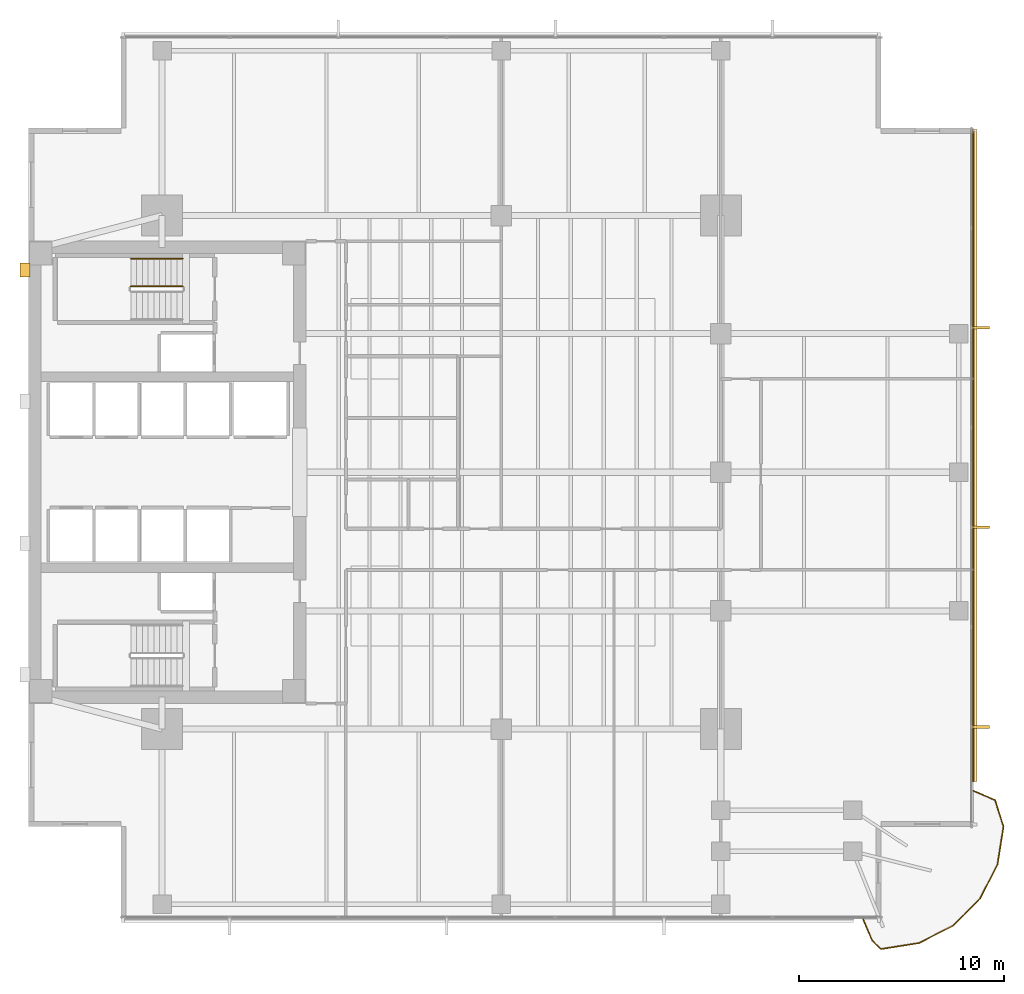
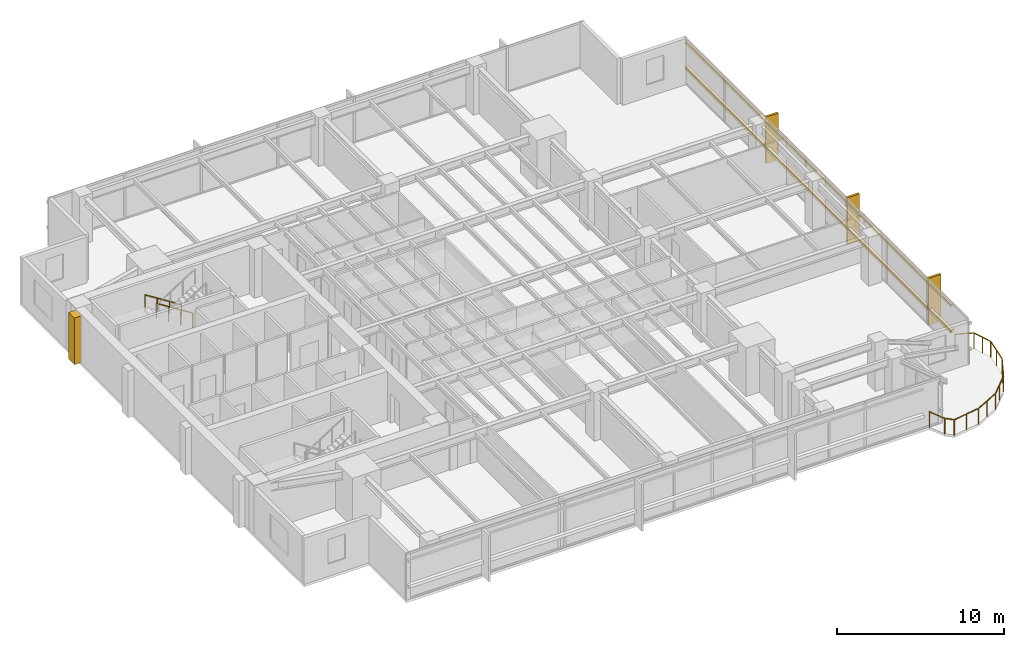
# One storey, part 14 of 15: 11 railings, 6 coverings, 2 shading devices.
"""IFC4 building model written with IfcOpenShell, lengths in metres."""

from ifc_helpers import new_model, si_unit, direction, frame, origin, origin_2d, place, context, subcontext, project, spatial, polyline, rectangle, circle, outline, extrude, material, layer, layer_set, material_profile, profile_set, type_object, element, save


model = new_model("IFC4")

# Units and contexts
model_context = context("Model", 3, precision=1e-05, world=origin(), true_north=direction((0.0, 1.0)))
body_context = subcontext(model_context, "Body", "Model", "MODEL_VIEW")
ifc_project = project(units=[si_unit("LENGTHUNIT", "METRE"), si_unit("AREAUNIT", "SQUARE_METRE"), si_unit("VOLUMEUNIT", "CUBIC_METRE"), si_unit("PLANEANGLEUNIT", "RADIAN"), si_unit("MASSUNIT", "GRAM", prefix="KILO")], contexts=[model_context])

# Site, building, storey
site_placement = place(None, origin())
site = spatial("IfcSite", under=ifc_project, at=site_placement, CompositionType="ELEMENT")
building_placement = place(site_placement, origin())
building = spatial("IfcBuilding", under=site, at=building_placement, Name="Kinhvarn Gate Tower", CompositionType="ELEMENT")
storey_placement = place(building_placement, frame((0.0, 0.0, 105.800048828125)))
storey = spatial("IfcBuildingStorey", under=building, at=storey_placement, Name="L27", CompositionType="ELEMENT", Elevation=105.800048828125)

# Coverings
ifc_material_1 = material(Name="Fired architectural terracotta", Category="masonry")
ifc_layer_1 = layer(ifc_material_1, 0.239990234375)
ifc_layer_set_1 = layer_set([ifc_layer_1], Name="Fired architectural terracotta")
covering_type_1 = type_object("IfcCoveringType", Name="COV-BAG-220", PredefinedType="CLADDING", material=ifc_layer_set_1)
for number, where, name in (
    (1, (0.0, 0.0, 0.93994140625), "Terracotta Horizontal Sunscreen Band TBG-220 (L27)"),
    (2, (0.0, 0.0, 2.81005859375), "Terracotta Horizontal Sunscreen Band TBG-220 (L27)"),
):
    element("IfcCovering", number, at=place(storey_placement, frame(where)), inside=storey, type_object=covering_type_1, Name=name, PredefinedType="CLADDING", context=body_context, shape_type="SweptSolid", body=[
        extrude(outline(polyline([(50.429931640625, 10.19091796875), (50.429931640625, 41.9599609375), (50.669921875, 41.9599609375), (50.669921875, 10.19091796875), (50.429931640625, 10.19091796875)])), origin(), (0.0, 0.0, 1.0), 0.219970703125),
    ])
ifc_layer_2 = layer(ifc_material_1, 0.139892578125)
ifc_layer_set_2 = layer_set([ifc_layer_2], Name="Fired architectural terracotta")
covering_type_2 = type_object("IfcCoveringType", Name="COV-FIN-850", PredefinedType="CLADDING", material=ifc_layer_set_2)
covering_1_placement = place(storey_placement, frame((0.0, 0.0, -0.02001953125)))
element("IfcCovering", 3, at=covering_1_placement, inside=storey, type_object=covering_type_2, Name="Vertical Terracotta Expressive Fin TFN-850 (L27)", PredefinedType="CLADDING", context=body_context, shape_type="SweptSolid", body=[
    extrude(outline(polyline([(50.419921875, 12.787109375), (50.419921875, 12.927001953125), (51.27001953125, 12.927001953125), (51.27001953125, 12.787109375), (50.419921875, 12.787109375)])), origin(), (0.0, 0.0, 1.0), 3.409912109375),
])
covering_2_placement = place(storey_placement, frame((0.0, 0.0, -0.02001953125)))
element("IfcCovering", 4, at=covering_2_placement, inside=storey, type_object=covering_type_2, Name="Vertical Terracotta Expressive Fin TFN-850 (L27)", PredefinedType="CLADDING", context=body_context, shape_type="SweptSolid", body=[
    extrude(outline(polyline([(50.419921875, 22.50146484375), (50.419921875, 22.641357421875), (51.27001953125, 22.641357421875), (51.27001953125, 22.50146484375), (50.419921875, 22.50146484375)])), origin(), (0.0, 0.0, 1.0), 3.409912109375),
])
covering_3_placement = place(storey_placement, frame((0.0, 0.0, -0.02001953125)))
element("IfcCovering", 5, at=covering_3_placement, inside=storey, type_object=covering_type_2, Name="Vertical Terracotta Expressive Fin TFN-850 (L27)", PredefinedType="CLADDING", context=body_context, shape_type="SweptSolid", body=[
    extrude(outline(polyline([(50.419921875, 32.2158203125), (50.419921875, 32.355712890625), (51.27001953125, 32.355712890625), (51.27001953125, 32.2158203125), (50.419921875, 32.2158203125)])), origin(), (0.0, 0.0, 1.0), 3.409912109375),
])
ifc_material_2 = material(Name="Precast white architectural concrete C40/50", Category="concrete")
ifc_layer_3 = layer(ifc_material_2, 0.47998046875)
ifc_layer_set_3 = layer_set([ifc_layer_3], Name="Precast white architectural concrete C40/50")
covering_type_3 = type_object("IfcCoveringType", Name="COV-RIB-450", PredefinedType="CLADDING", material=ifc_layer_set_3)
covering_4_placement = place(storey_placement, frame((0.0, 0.0, -0.02001953125)))
element("IfcCovering", 6, at=covering_4_placement, inside=storey, type_object=covering_type_3, Name="West Core Sculptural Concrete Relief Rib CRB-450 (L27)", PredefinedType="CLADDING", context=body_context, shape_type="SweptSolid", body=[
    extrude(outline(polyline([(4.080078125, 34.75), (4.56005859375, 34.75), (4.56005859375, 35.449951171875), (4.080078125, 35.449951171875), (4.080078125, 34.75)])), origin(), (0.0, 0.0, 1.0), 3.409912109375),
])

# Railings
ifc_material_3 = material(Name="Clear low-e double glazing", Category="glass")
railing_type_1 = type_object("IfcRailingType", Name="RL-BAL-1150", PredefinedType="BALUSTRADE", material=ifc_material_3)
railing_1_placement = place(storey_placement, frame((45.1201171875, 3.5, 0.0)))
element("IfcRailing", 7, at=railing_1_placement, inside=storey, type_object=railing_type_1, Name="S-Carve Balcony Guardrail Seg 1 (L27)", PredefinedType="BALUSTRADE", context=body_context, shape_type="SweptSolid", body=[
    extrude(circle(Radius=0.02392578125, at=origin_2d()), frame((0.0, 0.0, 1.1259765625), z_axis=(0.392787238873, -0.919629373704, 0.0), x_axis=(0.919629373704, 0.392787238873, 0.0)), (0.0, 0.0, 1.0), 1.1455078125),
    extrude(circle(Radius=0.02099609375, at=origin_2d()), origin(), (0.0, 0.0, 1.0), 1.101806640625),
    extrude(circle(Radius=0.02099609375, at=origin_2d()), frame((0.449951171875, -1.053466796875, 0.0)), (0.0, 0.0, 1.0), 1.101806640625),
])
railing_2_placement = place(storey_placement, frame((45.570068359375, 2.446533203125, 0.0)))
element("IfcRailing", 8, at=railing_2_placement, inside=storey, type_object=railing_type_1, Name="S-Carve Balcony Guardrail Seg 2 (L27)", PredefinedType="BALUSTRADE", context=body_context, shape_type="SweptSolid", body=[
    extrude(circle(Radius=0.02392578125, at=origin_2d()), frame((0.0, 0.0, 1.1259765625), z_axis=(0.724167268669, -0.689624366586, 0.0), x_axis=(0.689624366586, 0.724167268669, 0.0)), (0.0, 0.0, 1.0), 0.59375),
    extrude(circle(Radius=0.02099609375, at=origin_2d()), origin(), (0.0, 0.0, 1.0), 1.101806640625),
    extrude(circle(Radius=0.02099609375, at=origin_2d()), frame((0.429931640625, -0.409423828125, 0.0)), (0.0, 0.0, 1.0), 1.101806640625),
])
railing_3_placement = place(storey_placement, frame((46.0, 2.037109375, 0.0)))
element("IfcRailing", 9, at=railing_3_placement, inside=storey, type_object=railing_type_1, Name="S-Carve Balcony Guardrail Seg 3 (L27)", PredefinedType="BALUSTRADE", context=body_context, shape_type="SweptSolid", body=[
    extrude(circle(Radius=0.02392578125, at=origin_2d()), frame((0.0, 0.0, 1.1259765625), z_axis=(0.987698159802, 0.156372456408, 0.0), x_axis=(-0.156372456408, 0.987698159802, 0.0)), (0.0, 0.0, 1.0), 1.86572265625),
    extrude(circle(Radius=0.02099609375, at=origin_2d()), origin(), (0.0, 0.0, 1.0), 1.101806640625),
    extrude(circle(Radius=0.02099609375, at=origin_2d()), frame((0.92138671875, 0.14599609375, 0.0)), (0.0, 0.0, 1.0), 1.101806640625),
    extrude(circle(Radius=0.02099609375, at=origin_2d()), frame((1.8427734375, 0.291748046875, 0.0)), (0.0, 0.0, 1.0), 1.101806640625),
])
railing_4_placement = place(storey_placement, frame((47.8427734375, 2.328857421875, 0.0)))
element("IfcRailing", 10, at=railing_4_placement, inside=storey, type_object=railing_type_1, Name="S-Carve Balcony Guardrail Seg 4 (L27)", PredefinedType="BALUSTRADE", context=body_context, shape_type="SweptSolid", body=[
    extrude(circle(Radius=0.02392578125, at=origin_2d()), frame((0.0, 0.0, 1.1259765625), z_axis=(0.890998543862, 0.454006161671, 0.0), x_axis=(-0.454006161671, 0.890998543862, 0.0)), (0.0, 0.0, 1.0), 1.865478515625),
    extrude(circle(Radius=0.02099609375, at=origin_2d()), origin(), (0.0, 0.0, 1.0), 1.101806640625),
    extrude(circle(Radius=0.02099609375, at=origin_2d()), frame((0.8310546875, 0.42333984375, 0.0)), (0.0, 0.0, 1.0), 1.101806640625),
    extrude(circle(Radius=0.02099609375, at=origin_2d()), frame((1.662109375, 0.846923828125, 0.0)), (0.0, 0.0, 1.0), 1.101806640625),
])
railing_5_placement = place(storey_placement, frame((49.5048828125, 3.17578125, 0.0)))
element("IfcRailing", 11, at=railing_5_placement, inside=storey, type_object=railing_type_1, Name="S-Carve Balcony Guardrail Seg 5 (L27)", PredefinedType="BALUSTRADE", context=body_context, shape_type="SweptSolid", body=[
    extrude(circle(Radius=0.02392578125, at=origin_2d()), frame((0.0, 0.0, 1.1259765625), z_axis=(0.707106781187, 0.707106781187, 0.0), x_axis=(-0.707106781187, 0.707106781187, 0.0)), (0.0, 0.0, 1.0), 1.86572265625),
    extrude(circle(Radius=0.02099609375, at=origin_2d()), origin(), (0.0, 0.0, 1.0), 1.101806640625),
    extrude(circle(Radius=0.02099609375, at=origin_2d()), frame((0.65966796875, 0.65966796875, 0.0)), (0.0, 0.0, 1.0), 1.101806640625),
    extrude(circle(Radius=0.02099609375, at=origin_2d()), frame((1.3193359375, 1.3193359375, 0.0)), (0.0, 0.0, 1.0), 1.101806640625),
])
railing_6_placement = place(storey_placement, frame((50.82421875, 4.4951171875, 0.0)))
element("IfcRailing", 12, at=railing_6_placement, inside=storey, type_object=railing_type_1, Name="S-Carve Balcony Guardrail Seg 6 (L27)", PredefinedType="BALUSTRADE", context=body_context, shape_type="SweptSolid", body=[
    extrude(circle(Radius=0.02392578125, at=origin_2d()), frame((0.0, 0.0, 1.1259765625), z_axis=(0.454006161671, 0.890998543862, 0.0), x_axis=(-0.890998543862, 0.454006161671, 0.0)), (0.0, 0.0, 1.0), 1.865478515625),
    extrude(circle(Radius=0.02099609375, at=origin_2d()), origin(), (0.0, 0.0, 1.0), 1.101806640625),
    extrude(circle(Radius=0.02099609375, at=origin_2d()), frame((0.42333984375, 0.8310546875, 0.0)), (0.0, 0.0, 1.0), 1.101806640625),
    extrude(circle(Radius=0.02099609375, at=origin_2d()), frame((0.846923828125, 1.662109375, 0.0)), (0.0, 0.0, 1.0), 1.101806640625),
])
railing_7_placement = place(storey_placement, frame((51.671142578125, 6.1572265625, 0.0)))
element("IfcRailing", 13, at=railing_7_placement, inside=storey, type_object=railing_type_1, Name="S-Carve Balcony Guardrail Seg 7 (L27)", PredefinedType="BALUSTRADE", context=body_context, shape_type="SweptSolid", body=[
    extrude(circle(Radius=0.02392578125, at=origin_2d()), frame((0.0, 0.0, 1.1259765625), z_axis=(0.156372456408, 0.987698159802, 0.0), x_axis=(-0.987698159802, 0.156372456408, 0.0)), (0.0, 0.0, 1.0), 1.86572265625),
    extrude(circle(Radius=0.02099609375, at=origin_2d()), origin(), (0.0, 0.0, 1.0), 1.101806640625),
    extrude(circle(Radius=0.02099609375, at=origin_2d()), frame((0.14599609375, 0.92138671875, 0.0)), (0.0, 0.0, 1.0), 1.101806640625),
    extrude(circle(Radius=0.02099609375, at=origin_2d()), frame((0.291748046875, 1.8427734375, 0.0)), (0.0, 0.0, 1.0), 1.101806640625),
])
railing_8_placement = place(storey_placement, frame((51.962890625, 8.0, 0.0)))
element("IfcRailing", 14, at=railing_8_placement, inside=storey, type_object=railing_type_1, Name="S-Carve Balcony Guardrail Seg 8 (L27)", PredefinedType="BALUSTRADE", context=body_context, shape_type="SweptSolid", body=[
    extrude(circle(Radius=0.02392578125, at=origin_2d()), frame((0.0, 0.0, 1.1259765625), z_axis=(-0.302295794614, 0.953214169302, 0.0), x_axis=(-0.953214169302, -0.302295794614, 0.0)), (0.0, 0.0, 1.0), 1.3544921875),
    extrude(circle(Radius=0.02099609375, at=origin_2d()), origin(), (0.0, 0.0, 1.0), 1.101806640625),
    extrude(circle(Radius=0.02099609375, at=origin_2d()), frame((-0.20458984375, 0.6455078125, 0.0)), (0.0, 0.0, 1.0), 1.101806640625),
    extrude(circle(Radius=0.02099609375, at=origin_2d()), frame((-0.409423828125, 1.291015625, 0.0)), (0.0, 0.0, 1.0), 1.101806640625),
])
railing_9_placement = place(storey_placement, frame((51.553466796875, 9.291015625, 0.0)))
element("IfcRailing", 15, at=railing_9_placement, inside=storey, type_object=railing_type_1, Name="S-Carve Balcony Guardrail Seg 9 (L27)", PredefinedType="BALUSTRADE", context=body_context, shape_type="SweptSolid", body=[
    extrude(circle(Radius=0.02392578125, at=origin_2d()), frame((0.0, 0.0, 1.1259765625), z_axis=(-0.919629373704, 0.392787238873, 0.0), x_axis=(-0.392787238873, -0.919629373704, 0.0)), (0.0, 0.0, 1.0), 1.1455078125),
    extrude(circle(Radius=0.02099609375, at=origin_2d()), origin(), (0.0, 0.0, 1.0), 1.101806640625),
    extrude(circle(Radius=0.02099609375, at=origin_2d()), frame((-1.053466796875, 0.449951171875, 0.0)), (0.0, 0.0, 1.0), 1.101806640625),
])
ifc_material_4 = material(Name="Steel S355", Category="steel")
railing_type_2 = type_object("IfcRailingType", Name="RL-ST-GRD", PredefinedType="BALUSTRADE", material=ifc_material_4)
railing_10_placement = place(storey_placement, frame((12.0, 34.300048828125, 0.177490234375)))
element("IfcRailing", 16, at=railing_10_placement, inside=storey, type_object=railing_type_2, Name="L27 ST2 stair guard 1", PredefinedType="BALUSTRADE", context=body_context, shape_type="SweptSolid", body=[
    extrude(circle(Radius=0.02392578125, at=origin_2d()), frame((0.0, 0.0, 1.076171875), z_axis=(-0.84460694969, 0.0, 0.535386869969), x_axis=(0.0, -1.0, 0.0)), (0.0, 0.0, 1.0), 2.983642578125),
    extrude(circle(Radius=0.02099609375, at=origin_2d()), origin(), (0.0, 0.0, 1.0), 1.052001953125),
    extrude(circle(Radius=0.02099609375, at=origin_2d()), frame((-0.840087890625, 0.0, 0.532470703125)), (0.0, 0.0, 1.0), 1.052001953125),
    extrude(circle(Radius=0.02099609375, at=origin_2d()), frame((-1.679931640625, 0.0, 1.06494140625)), (0.0, 0.0, 1.0), 1.052001953125),
    extrude(circle(Radius=0.02099609375, at=origin_2d()), frame((-2.52001953125, 0.0, 1.597412109375)), (0.0, 0.0, 1.0), 1.052001953125),
])
railing_type_3 = type_object("IfcRailingType", Name="RL-ST-HND", PredefinedType="HANDRAIL", material=ifc_material_4)
railing_11_placement = place(storey_placement, frame((12.0, 35.64990234375, 0.177490234375)))
element("IfcRailing", 17, at=railing_11_placement, inside=storey, type_object=railing_type_3, Name="L27 ST2 stair handrail 1", PredefinedType="HANDRAIL", context=body_context, shape_type="SweptSolid", body=[
    extrude(circle(Radius=0.02392578125, at=origin_2d()), frame((0.0, 0.0, 0.8759765625), z_axis=(-0.84460694969, 0.0, 0.535386869969), x_axis=(0.0, -1.0, 0.0)), (0.0, 0.0, 1.0), 2.983642578125),
    extrude(circle(Radius=0.02099609375, at=origin_2d()), origin(), (0.0, 0.0, 1.0), 0.851806640625),
    extrude(circle(Radius=0.02099609375, at=origin_2d()), frame((-0.840087890625, 0.0, 0.532470703125)), (0.0, 0.0, 1.0), 0.851806640625),
    extrude(circle(Radius=0.02099609375, at=origin_2d()), frame((-1.679931640625, 0.0, 1.06494140625)), (0.0, 0.0, 1.0), 0.851806640625),
    extrude(circle(Radius=0.02099609375, at=origin_2d()), frame((-2.52001953125, 0.0, 1.597412109375)), (0.0, 0.0, 1.0), 0.851806640625),
])

# Shading devices
ifc_material_profile = material_profile(ifc_material_1, rectangle(XDim=0.050048828125, YDim=0.1201171875, at=origin_2d()), Name="TC 50x120")
ifc_profile_set = profile_set([ifc_material_profile], Name="Fired architectural terracotta")
shading_device_type = type_object("IfcShadingDeviceType", Name="SHD-BAG-140", PredefinedType="USERDEFINED", material=ifc_profile_set)
for number, where, z_axis, x_axis, name in (
    (18, (50.5, 10.19091796875, 1.050048828125), (0.0, 1.0, 0.0), (-1.0, 0.0, 0.0), "Upper Tower Terracotta Baguette Screen Rod 50x120 mm (L27)"),
    (19, (50.5, 10.19091796875, 2.919921875), (0.0, 1.0, 0.0), (-1.0, 0.0, 0.0), "Upper Tower Terracotta Baguette Screen Rod 50x120 mm (L27)"),
):
    element("IfcShadingDevice", number, at=place(storey_placement, frame(where, z_axis=z_axis, x_axis=x_axis)), inside=storey, type_object=shading_device_type, Name=name, ObjectType="BAGUETTE", PredefinedType="USERDEFINED", context=body_context, shape_type="SweptSolid", body=[
        extrude(rectangle(XDim=0.050048828125, YDim=0.1201171875, at=origin_2d()), origin(), (0.0, 0.0, 1.0), 31.76904296875),
    ])

save(model, "model.ifc")
